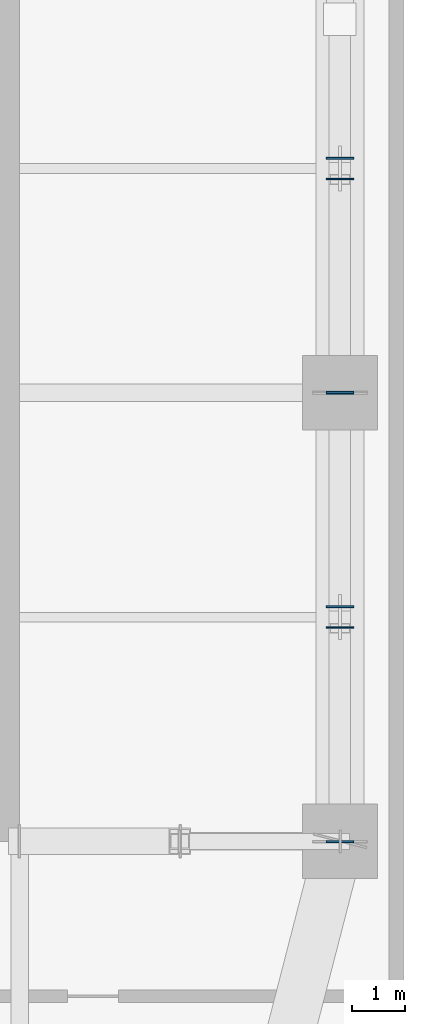
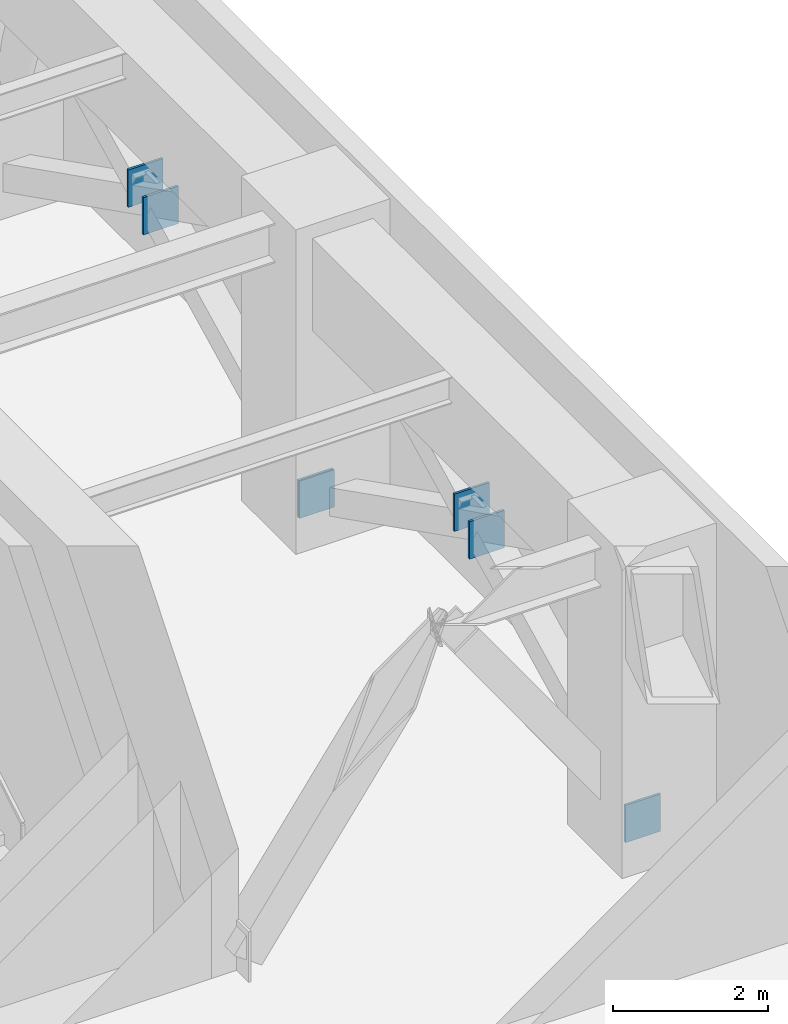
# One storey, part 9 of 16: 7 plates.
"""IFC4 building model written with IfcOpenShell, lengths in metres."""

from ifc_helpers import new_model, si_unit, direction, frame, origin, origin_2d, place, context, subcontext, project, spatial, rectangle, extrude, material, layer, layer_set, type_object, element, save


model = new_model("IFC4")

# Units and contexts
model_context = context("Model", 3, precision=1e-05, world=origin(), true_north=direction((0.0, 1.0)))
body_context = subcontext(model_context, "Body", "Model", "MODEL_VIEW")
ifc_project = project(units=[si_unit("LENGTHUNIT", "METRE"), si_unit("AREAUNIT", "SQUARE_METRE"), si_unit("VOLUMEUNIT", "CUBIC_METRE"), si_unit("PLANEANGLEUNIT", "RADIAN"), si_unit("MASSUNIT", "GRAM", prefix="KILO")], contexts=[model_context])

# Site, building, storey
site_placement = place(None, origin())
site = spatial("IfcSite", under=ifc_project, at=site_placement, CompositionType="ELEMENT")
building_placement = place(site_placement, origin())
building = spatial("IfcBuilding", under=site, at=building_placement, Name="Kiyonajd Concourse Tower", CompositionType="ELEMENT")
storey_placement = place(building_placement, frame((0.0, 0.0, 145.5)))
storey = spatial("IfcBuildingStorey", under=building, at=storey_placement, Name="L37", CompositionType="ELEMENT", Elevation=145.5)

# Plates
ifc_material = material(Name="Steel ASTM A572 Grade 50", Category="steel")
ifc_layer = layer(ifc_material, 0.031982421875)
ifc_layer_set = layer_set([ifc_layer], Name="Steel ASTM A572 Grade 50")
plate_type = type_object("IfcPlateType", Name="PL-CAP-540", PredefinedType="USERDEFINED", material=ifc_layer_set)
for number, where, z_axis, x_axis, name in (
    (1, (69.60009765625, 36.009765625, 0.001220703125), (0.0, 0.0, 1.0), (0.0, 1.0, 0.0), "L37 X Brace Far End Cap E1"),
    (2, (69.60009765625, 27.590087890625, 0.001220703125), (0.0, 0.0, 1.0), (0.0, -1.0, 0.0), "L37 Split X Brace Outer Cap E1"),
    (3, (69.60009765625, 31.6044921875, 2.0224609375), (0.0, 0.0, 1.0), (0.0, 1.0, 0.0), "L37 Split X Brace Node Collar E1"),
    (4, (69.60009765625, 31.99560546875, 2.219482421875), (0.0, 0.0, 1.0), (0.0, -1.0, 0.0), "L37 Split X Brace Node Collar E1"),
    (5, (69.60009765625, 35.990234375, 0.001220703125), (0.0, 0.0, 1.0), (0.0, -1.0, 0.0), "L37 Split X Brace Outer Cap E2"),
    (6, (69.60009765625, 40.00439453125, 2.0224609375), (0.0, 0.0, 1.0), (0.0, 1.0, 0.0), "L37 Split X Brace Node Collar E2"),
    (7, (69.60009765625, 40.3955078125, 2.219482421875), (0.0, 0.0, 1.0), (0.0, -1.0, 0.0), "L37 Split X Brace Node Collar E2"),
):
    element("IfcPlate", number, at=place(storey_placement, frame(where, z_axis=z_axis, x_axis=x_axis)), inside=storey, type_object=plate_type, Name=name, ObjectType="CAP PLATE", PredefinedType="USERDEFINED", context=body_context, shape_type="SweptSolid", body=[
        extrude(rectangle(XDim=0.035888671875, YDim=0.52001953125, at=origin_2d()), origin(), (0.0, 0.0, 1.0), 0.587890625),
    ])

save(model, "model.ifc")
